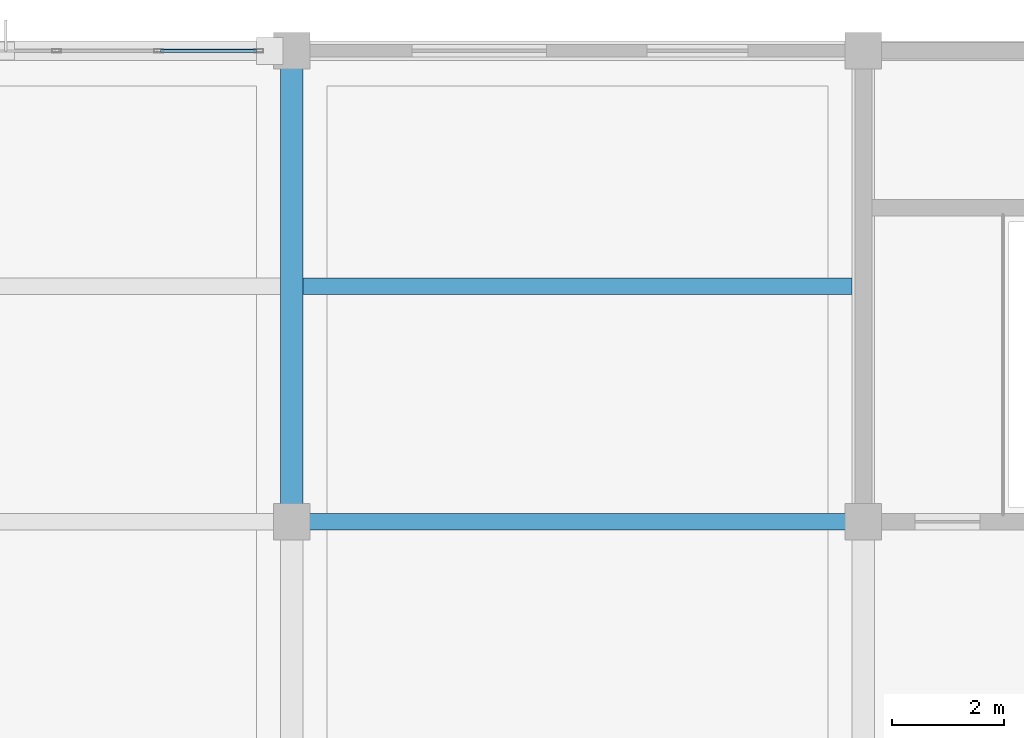
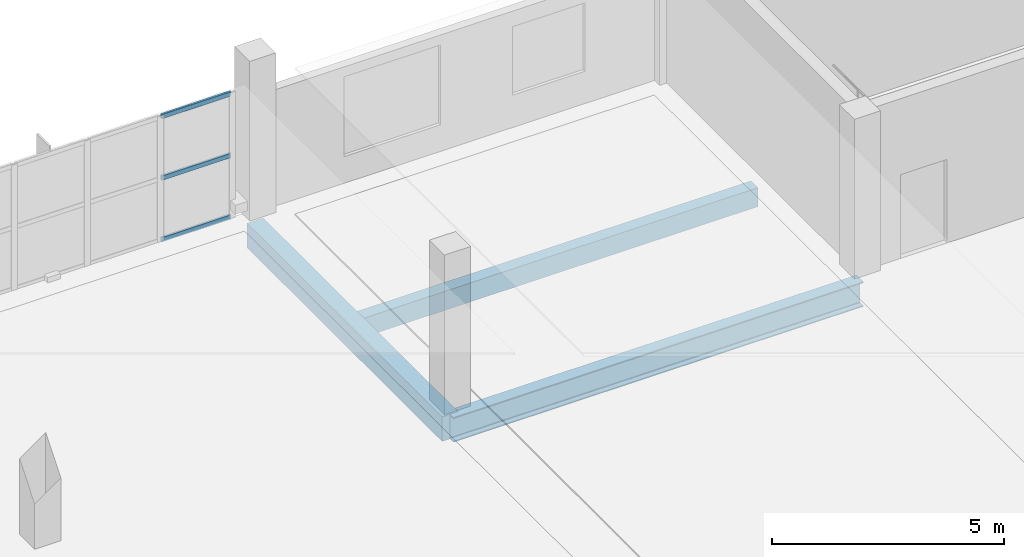
# One storey, part 103 of 135: 3 beams, 3 members, 1 element without a shape of its own.
"""IFC4 building model written with IfcOpenShell, lengths in metres."""

from ifc_helpers import new_model, si_unit, direction, frame, origin, origin_2d, place, context, subcontext, project, spatial, rectangle, hollow_rectangle, i_section, extrude, material, material_profile, profile_set, type_object, element, aggregate, save


model = new_model("IFC4")

# Units and contexts
model_context = context("Model", 3, precision=1e-05, world=origin(), true_north=direction((0.0, 1.0)))
body_context = subcontext(model_context, "Body", "Model", "MODEL_VIEW")
ifc_project = project(units=[si_unit("LENGTHUNIT", "METRE"), si_unit("AREAUNIT", "SQUARE_METRE"), si_unit("VOLUMEUNIT", "CUBIC_METRE"), si_unit("PLANEANGLEUNIT", "RADIAN"), si_unit("MASSUNIT", "GRAM", prefix="KILO")], contexts=[model_context])

# Site, building, storey
site_placement = place(None, origin())
site = spatial("IfcSite", under=ifc_project, at=site_placement, CompositionType="ELEMENT")
building_placement = place(site_placement, origin())
building = spatial("IfcBuilding", under=site, at=building_placement, Name="Brelvane Convention Centre", CompositionType="ELEMENT")
storey_placement = place(building_placement, frame((0.0, 0.0, 15.0)))
storey = spatial("IfcBuildingStorey", under=building, at=storey_placement, Name="L03", CompositionType="ELEMENT", Elevation=15.0)

# Curtain wall, members
ifc_material_1 = material(Name="Anodised Aluminium Alloy 6063-T6", Category="aluminium")
curtain_wall_type = type_object("IfcCurtainWallType", Name="Curtain Wall CW-BOUL", PredefinedType="USERDEFINED", material=ifc_material_1)
curtain_wall_placement = place(storey_placement, origin())
curtain_wall = element("IfcCurtainWall", 1, at=curtain_wall_placement, inside=storey, type_object=curtain_wall_type, Name="Curtain Wall CW-BOUL L03-V4N-08", ObjectType="UNITISED", PredefinedType="USERDEFINED")
ifc_material_2 = material(Name="Anodised Aluminium Alloy 6063-T6", Category="aluminium")
ifc_material_profile_1 = material_profile(ifc_material_2, hollow_rectangle(XDim=0.06005859375, YDim=0.1201171875, WallThickness=0.00390625, InnerFilletRadius=0.00390625, OuterFilletRadius=0.008056640625, at=origin_2d()), Name="ALU-T 120x60x4.0")
ifc_profile_set_1 = profile_set([ifc_material_profile_1], Name="Anodised Aluminium Alloy 6063-T6")
member_type = type_object("IfcMemberType", Name="Curtain Transom CW-T3", PredefinedType="USERDEFINED", material=ifc_profile_set_1)
member_1_placement = place(storey_placement, frame((79.262451171875, 144.0, 0.030029296875), z_axis=(1.0, 0.0, 0.0), x_axis=(0.0, 1.0, 0.0)))
member_1 = element("IfcMember", 2, at=member_1_placement, type_object=member_type, Name="CW-BOUL transom 5.1", ObjectType="TRANSOM", PredefinedType="USERDEFINED", context=body_context, shape_type="SweptSolid", body=[
    extrude(hollow_rectangle(XDim=0.06005859375, YDim=0.1201171875, WallThickness=0.00390625, InnerFilletRadius=0.00390625, OuterFilletRadius=0.008056640625, at=origin_2d()), origin(), (0.0, 0.0, 1.0), 1.72265625),
])
member_2_placement = place(storey_placement, frame((79.262451171875, 144.0, 1.64990234375), z_axis=(1.0, 0.0, 0.0), x_axis=(0.0, 1.0, 0.0)))
member_2 = element("IfcMember", 3, at=member_2_placement, type_object=member_type, Name="CW-BOUL transom 5.2", ObjectType="TRANSOM", PredefinedType="USERDEFINED", context=body_context, shape_type="SweptSolid", body=[
    extrude(hollow_rectangle(XDim=0.06005859375, YDim=0.1201171875, WallThickness=0.00390625, InnerFilletRadius=0.00390625, OuterFilletRadius=0.008056640625, at=origin_2d()), origin(), (0.0, 0.0, 1.0), 1.72265625),
])
member_3_placement = place(storey_placement, frame((79.262451171875, 144.0, 3.27001953125), z_axis=(1.0, 0.0, 0.0), x_axis=(0.0, 1.0, 0.0)))
member_3 = element("IfcMember", 4, at=member_3_placement, type_object=member_type, Name="CW-BOUL transom 5.3", ObjectType="TRANSOM", PredefinedType="USERDEFINED", context=body_context, shape_type="SweptSolid", body=[
    extrude(hollow_rectangle(XDim=0.06005859375, YDim=0.1201171875, WallThickness=0.00390625, InnerFilletRadius=0.00390625, OuterFilletRadius=0.008056640625, at=origin_2d()), origin(), (0.0, 0.0, 1.0), 1.72265625),
])
aggregate(curtain_wall, [member_1, member_2, member_3])

# Beams
ifc_material_3 = material(Name="Concrete M40", Category="concrete")
ifc_material_profile_2 = material_profile(ifc_material_3, rectangle(XDim=0.39990234375, YDim=0.64990234375, at=origin_2d()), Name="RC 400x650")
ifc_profile_set_2 = profile_set([ifc_material_profile_2], Name="Concrete M40")
beam_type_1 = type_object("IfcBeamType", Name="RC Beam B-RC7 (RC 400x650)", PredefinedType="BEAM", material=ifc_profile_set_2)
beam_1_placement = place(storey_placement, frame((81.60009765625, 135.60009765625, -0.6201171875), z_axis=(0.0, 1.0, 0.0), x_axis=(-1.0, 0.0, 0.0)))
element("IfcBeam", 5, at=beam_1_placement, inside=storey, type_object=beam_type_1, Name="L03 Girder 9/P-Q", PredefinedType="BEAM", context=body_context, shape_type="SweptSolid", body=[
    extrude(rectangle(XDim=0.39990234375, YDim=0.64990234375, at=origin_2d()), origin(), (0.0, 0.0, 1.0), 8.39990234375),
])
ifc_material_4 = material(Name="Concrete M40", Category="concrete")
ifc_material_profile_3 = material_profile(ifc_material_4, rectangle(XDim=0.300048828125, YDim=0.5, at=origin_2d()), Name="RC 300x500")
ifc_profile_set_3 = profile_set([ifc_material_profile_3], Name="Concrete M40")
beam_type_2 = type_object("IfcBeamType", Name="RC Joist J-RC2 (RC 300x500)", PredefinedType="JOIST", material=ifc_profile_set_3)
beam_2_placement = place(storey_placement, frame((81.800048828125, 139.800048828125, -0.544921875), z_axis=(1.0, 0.0, 0.0), x_axis=(0.0, 1.0, 0.0)))
element("IfcBeam", 6, at=beam_2_placement, inside=storey, type_object=beam_type_2, Name="L03 Secondary Joist 9-10/PQ", PredefinedType="JOIST", context=body_context, shape_type="SweptSolid", body=[
    extrude(rectangle(XDim=0.300048828125, YDim=0.5, at=origin_2d()), origin(), (0.0, 0.0, 1.0), 9.800048828125),
])
ifc_material_5 = material(Name="Steel E350 (350 MPa)", Category="steel")
ifc_material_profile_4 = material_profile(ifc_material_5, i_section(OverallWidth=0.300048828125, OverallDepth=0.64990234375, WebThickness=0.014404296875, FlangeThickness=0.02587890625, FilletRadius=0.02392578125, at=origin_2d()), Name="NPB 650x300")
ifc_profile_set_4 = profile_set([ifc_material_profile_4], Name="Steel E350 (350 MPa)")
beam_type_3 = type_object("IfcBeamType", Name="Steel Beam B-ST4 (NPB 650x300)", PredefinedType="BEAM", material=ifc_profile_set_4)
beam_3_placement = place(storey_placement, frame((81.60009765625, 135.60009765625, -0.6201171875), z_axis=(1.0, 0.0, 0.0), x_axis=(0.0, 1.0, 0.0)))
element("IfcBeam", 7, at=beam_3_placement, inside=storey, type_object=beam_type_3, Name="L03 Beam 9-10/P", PredefinedType="BEAM", context=body_context, shape_type="SweptSolid", body=[
    extrude(i_section(OverallWidth=0.300048828125, OverallDepth=0.64990234375, WebThickness=0.014404296875, FlangeThickness=0.02587890625, FilletRadius=0.02392578125, at=origin_2d()), origin(), (0.0, 0.0, 1.0), 10.199951171875),
])

save(model, "model.ifc")
